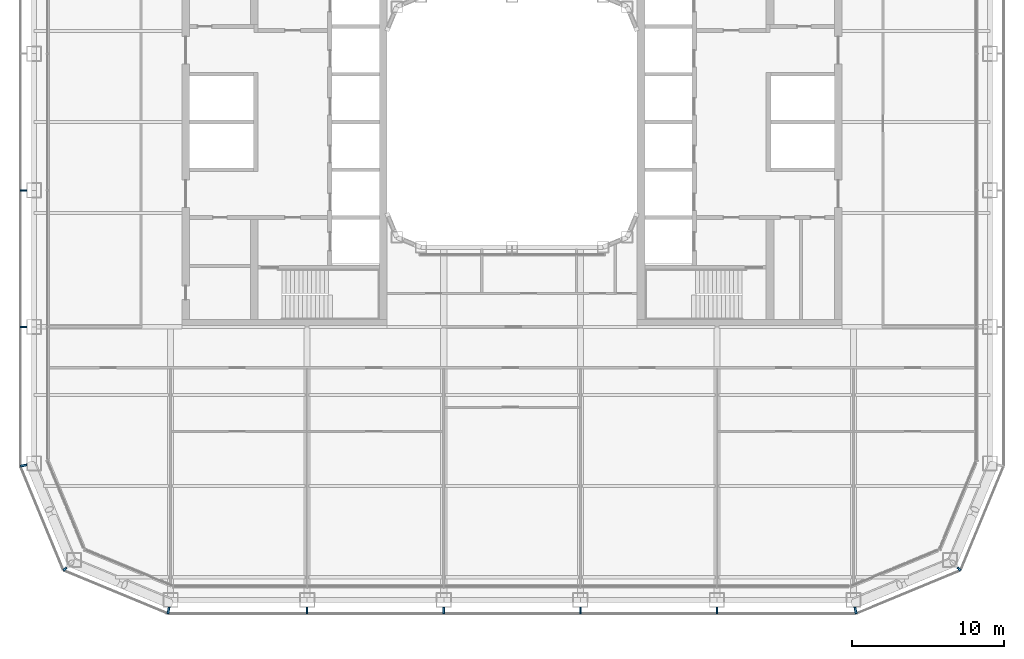
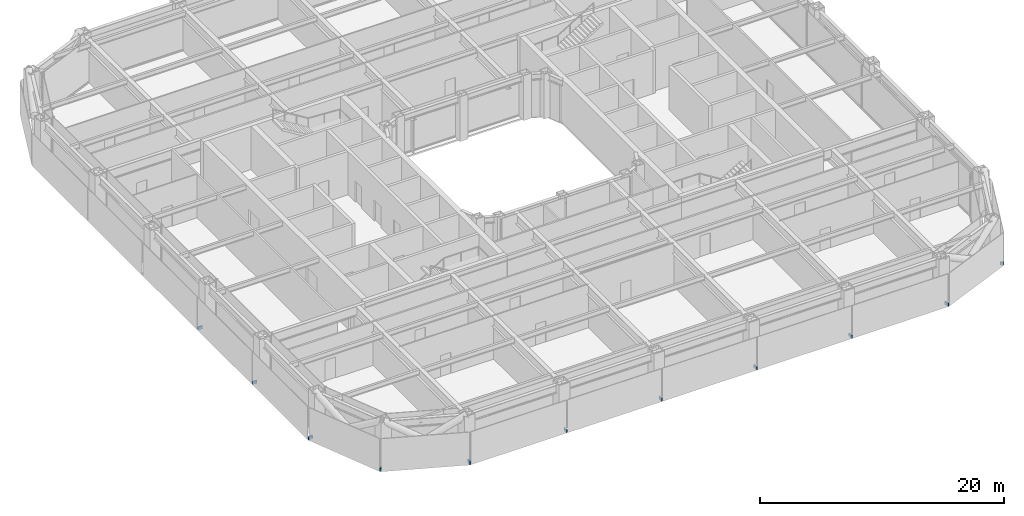
# One storey, part 16 of 24: 11 discrete accessories.
"""IFC4 building model written with IfcOpenShell, lengths in metres."""

from ifc_helpers import new_model, si_unit, direction, frame, origin, origin_2d, place, context, subcontext, project, spatial, rectangle, extrude, material, type_object, element, save


model = new_model("IFC4")

# Units and contexts
model_context = context("Model", 3, precision=1e-05, world=origin(), true_north=direction((0.0, 1.0)))
body_context = subcontext(model_context, "Body", "Model", "MODEL_VIEW")
ifc_project = project(units=[si_unit("LENGTHUNIT", "METRE"), si_unit("AREAUNIT", "SQUARE_METRE"), si_unit("VOLUMEUNIT", "CUBIC_METRE"), si_unit("PLANEANGLEUNIT", "RADIAN"), si_unit("MASSUNIT", "GRAM", prefix="KILO")], contexts=[model_context])

# Site, building, storey
site_placement = place(None, origin())
site = spatial("IfcSite", under=ifc_project, at=site_placement, CompositionType="ELEMENT")
building_placement = place(site_placement, origin())
building = spatial("IfcBuilding", under=site, at=building_placement, Name="Siwar Civic Tower", CompositionType="ELEMENT")
storey_placement = place(building_placement, frame((0.0, 0.0, 76.199951171875)))
storey = spatial("IfcBuildingStorey", under=building, at=storey_placement, Name="L16", CompositionType="ELEMENT", Elevation=76.199951171875)

# Discrete accessories
ifc_material = material(Name="Stainless steel 316", Category="steel")
discrete_accessory_type = type_object("IfcDiscreteAccessoryType", Name="ENV-BRACKET", PredefinedType="BRACKET", material=ifc_material)
for number, where, z_axis, x_axis, name in (
    (1, (-13.5, -32.18994140625, -0.14990234375), (0.0, 0.0, 1.0), (0.0, -1.0, 0.0), "Bracket outer skin joint S-01"),
    (2, (-4.5, -32.18994140625, -0.14990234375), (0.0, 0.0, 1.0), (0.0, -1.0, 0.0), "Bracket outer skin joint S-02"),
    (3, (4.5, -32.18994140625, -0.14990234375), (0.0, 0.0, 1.0), (0.0, -1.0, 0.0), "Bracket outer skin joint S-03"),
    (4, (13.5, -32.18994140625, -0.14990234375), (0.0, 0.0, 1.0), (0.0, -1.0, 0.0), "Bracket outer skin joint S-04"),
):
    element("IfcDiscreteAccessory", number, at=place(storey_placement, frame(where, z_axis=z_axis, x_axis=x_axis)), inside=storey, type_object=discrete_accessory_type, Name=name, PredefinedType="BRACKET", context=body_context, shape_type="SweptSolid", body=[
        extrude(rectangle(XDim=0.419921875, YDim=0.10009765625, at=origin_2d()), origin(), (0.0, 0.0, 1.0), 0.300048828125),
    ])
for number, where, z_axis, x_axis, name in (
    (5, (-22.63720703125, -32.190185546875, -0.14990234375), (0.0, 0.0, 1.0), (-0.195090322016, -0.980785280403, 0.0), "Bracket outer skin joint V00"),
    (6, (22.63720703125, -32.190185546875, -0.14990234375), (0.0, 0.0, 1.0), (0.195090322016, -0.980785280403, 0.0), "Bracket outer skin joint V01"),
):
    element("IfcDiscreteAccessory", number, at=place(storey_placement, frame(where, z_axis=z_axis, x_axis=x_axis)), inside=storey, type_object=discrete_accessory_type, Name=name, PredefinedType="BRACKET", context=body_context, shape_type="SweptSolid", body=[
        extrude(rectangle(XDim=0.427734375, YDim=0.13720703125, at=origin_2d()), origin(), (0.0, 0.0, 1.0), 0.300048828125),
    ])
discrete_accessory_1_placement = place(storey_placement, frame((29.451416015625, -29.451416015625, -0.14990234375), z_axis=(0.0, 0.0, 1.0), x_axis=(0.707106781187, -0.707106781187, 0.0)))
element("IfcDiscreteAccessory", 7, at=discrete_accessory_1_placement, inside=storey, type_object=discrete_accessory_type, Name="Bracket outer skin joint V02", PredefinedType="BRACKET", context=body_context, shape_type="SweptSolid", body=[
    extrude(rectangle(XDim=0.287109375, YDim=0.12939453125, at=origin_2d()), origin(), (0.0, 0.0, 1.0), 0.300048828125),
])
discrete_accessory_2_placement = place(storey_placement, frame((-32.190185546875, -22.63720703125, -0.14990234375), z_axis=(0.0, 0.0, 1.0), x_axis=(-0.980785280403, -0.195090322016, 0.0)))
element("IfcDiscreteAccessory", 8, at=discrete_accessory_2_placement, inside=storey, type_object=discrete_accessory_type, Name="Bracket outer skin joint V10", PredefinedType="BRACKET", context=body_context, shape_type="SweptSolid", body=[
    extrude(rectangle(XDim=0.427734375, YDim=0.13720703125, at=origin_2d()), origin(), (0.0, 0.0, 1.0), 0.300048828125),
])
discrete_accessory_3_placement = place(storey_placement, frame((-29.451416015625, -29.451416015625, -0.14990234375), z_axis=(0.0, 0.0, 1.0), x_axis=(-0.707106781187, -0.707106781187, 0.0)))
element("IfcDiscreteAccessory", 9, at=discrete_accessory_3_placement, inside=storey, type_object=discrete_accessory_type, Name="Bracket outer skin joint V11", PredefinedType="BRACKET", context=body_context, shape_type="SweptSolid", body=[
    extrude(rectangle(XDim=0.287109375, YDim=0.12939453125, at=origin_2d()), origin(), (0.0, 0.0, 1.0), 0.300048828125),
])
for number, where, z_axis, x_axis, name in (
    (10, (-32.18994140625, -4.5, -0.14990234375), (0.0, 0.0, 1.0), (-1.0, 0.0, 0.0), "Bracket outer skin joint W-03"),
    (11, (-32.18994140625, -13.5, -0.14990234375), (0.0, 0.0, 1.0), (-1.0, 0.0, 0.0), "Bracket outer skin joint W-04"),
):
    element("IfcDiscreteAccessory", number, at=place(storey_placement, frame(where, z_axis=z_axis, x_axis=x_axis)), inside=storey, type_object=discrete_accessory_type, Name=name, PredefinedType="BRACKET", context=body_context, shape_type="SweptSolid", body=[
        extrude(rectangle(XDim=0.419921875, YDim=0.10009765625, at=origin_2d()), origin(), (0.0, 0.0, 1.0), 0.300048828125),
    ])

save(model, "model.ifc")
